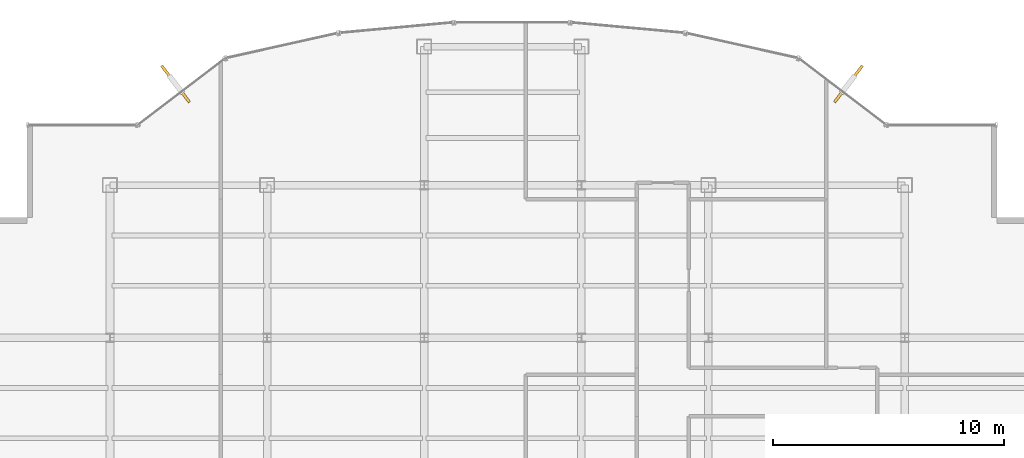
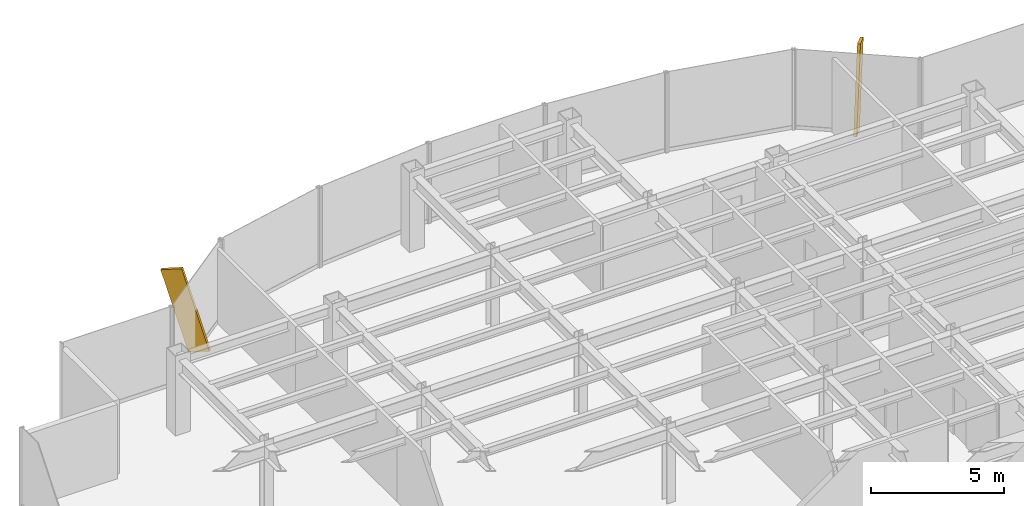
# One storey, part 24 of 25: 2 shading devices.
"""IFC4 building model written with IfcOpenShell, lengths in metres."""

from ifc_helpers import new_model, si_unit, derived_unit, direction, frame, origin, origin_2d, place, context, subcontext, project, spatial, rectangle, extrude, source, transform, mapped, material, type_object, element, save


model = new_model("IFC4")

# Units and contexts
model_context = context("Model", 3, precision=1e-05, world=origin(), true_north=direction((0.0, 1.0)))
body_context = subcontext(model_context, "Body", "Model", "MODEL_VIEW")
ifc_project = project(units=[si_unit("LENGTHUNIT", "METRE"), si_unit("AREAUNIT", "SQUARE_METRE"), si_unit("VOLUMEUNIT", "CUBIC_METRE"), si_unit("PLANEANGLEUNIT", "RADIAN"), si_unit("MASSUNIT", "GRAM", prefix="KILO"), derived_unit("THERMALTRANSMITTANCEUNIT", [(si_unit("POWERUNIT", "WATT"), 1), (si_unit("LENGTHUNIT", "METRE"), -2), (si_unit("THERMODYNAMICTEMPERATUREUNIT", "KELVIN"), -1)])], contexts=[model_context])

# Site, building, storey
site_placement = place(None, origin())
site = spatial("IfcSite", under=ifc_project, at=site_placement, CompositionType="ELEMENT")
building_placement = place(site_placement, origin())
building = spatial("IfcBuilding", under=site, at=building_placement, Name="Skarnbrae Concourse Arena and Tower", CompositionType="ELEMENT")
storey_placement = place(building_placement, frame((0.0, 0.0, 166.14990234375)))
storey = spatial("IfcBuildingStorey", under=building, at=storey_placement, Name="L42", CompositionType="ELEMENT", Elevation=166.14990234375)

# Shading devices
ifc_material = material(Name="Bronze anodised aluminium 6063-T6", Category="aluminium")
shading_device_type = type_object("IfcShadingDeviceType", Name="SHD-BRONZE-FIN-900", PredefinedType="USERDEFINED", material=ifc_material)
shared_shape = source(origin(), body_context, "Body", "SweptSolid", [
    extrude(rectangle(XDim=0.1201171875, YDim=0.89990234375, at=origin_2d()), origin(), (0.0, 0.0, 1.0), 3.64990234375),
])
for number, where, z_axis, x_axis, name in (
    (1, (39.21728515625, 38.331787109375, 0.089599609375), (0.187571567649, 0.245786538166, 0.95100256817), (0.794954941871, -0.606668476513, 0.0), "L42 Outward-leaning bronze shading fin 08"),
    (2, (10.78271484375, 38.331787109375, 0.089599609375), (-0.187571567649, 0.245786538166, 0.95100256817), (0.794954941871, 0.606668476513, 0.0), "L42 Outward-leaning bronze shading fin 14"),
):
    element("IfcShadingDevice", number, at=place(storey_placement, frame(where, z_axis=z_axis, x_axis=x_axis)), inside=storey, type_object=shading_device_type, Name=name, ObjectType="FIN", PredefinedType="USERDEFINED", context=body_context, shape_type="MappedRepresentation", body=[
        mapped(shared_shape, transform((0.0, 0.0, 0.0))),
    ])

save(model, "model.ifc")
